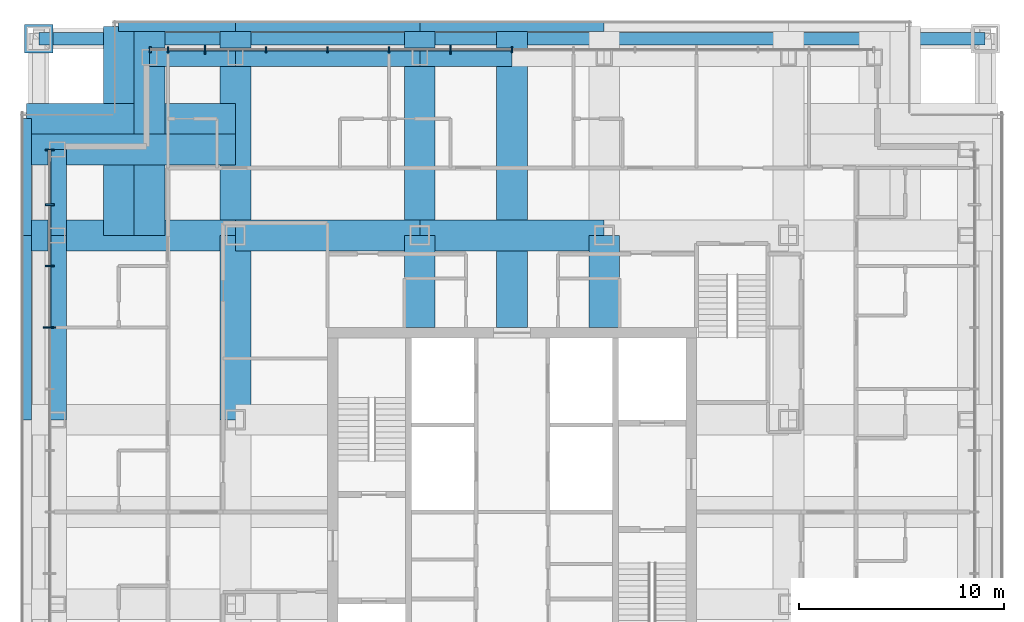
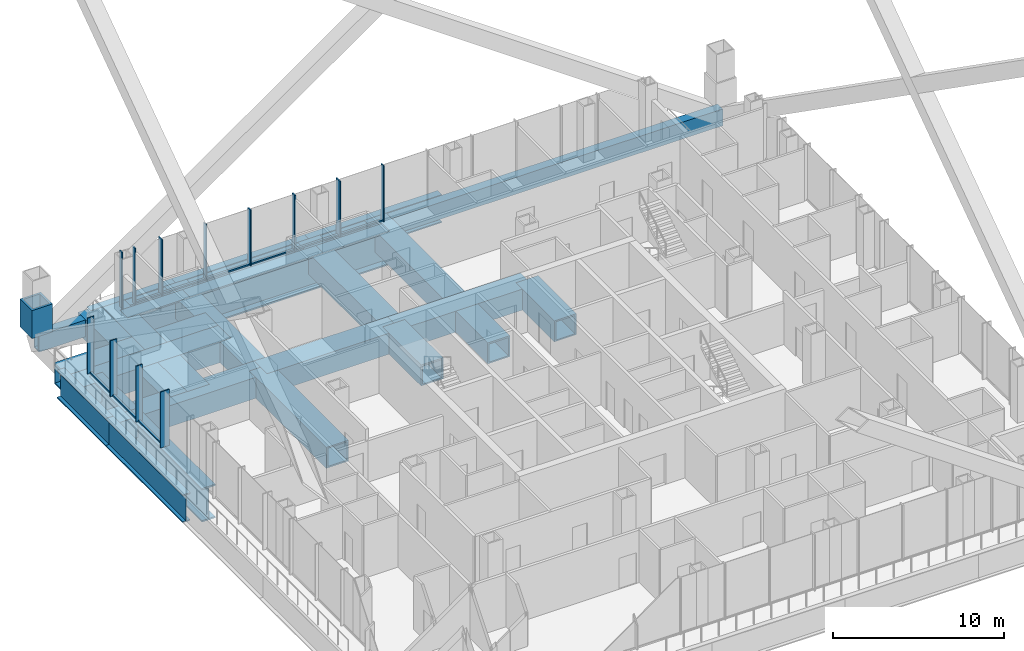
# One storey, part 7 of 18: 23 beams, 23 members, 2 elements without a shape of their own.
"""IFC4 building model written with IfcOpenShell, lengths in metres."""

from ifc_helpers import new_model, si_unit, direction, frame, origin, origin_2d, place, context, subcontext, project, spatial, rectangle, hollow_rectangle, i_section, extrude, material, layer, layer_set, material_profile, profile_set, type_object, element, aggregate, save


model = new_model("IFC4")

# Units and contexts
model_context = context("Model", 3, precision=1e-05, world=origin(), true_north=direction((0.0, 1.0)))
body_context = subcontext(model_context, "Body", "Model", "MODEL_VIEW")
ifc_project = project(units=[si_unit("LENGTHUNIT", "METRE"), si_unit("AREAUNIT", "SQUARE_METRE"), si_unit("VOLUMEUNIT", "CUBIC_METRE"), si_unit("PLANEANGLEUNIT", "RADIAN"), si_unit("MASSUNIT", "GRAM", prefix="KILO")], contexts=[model_context])

# Site, building, storey
site_placement = place(None, origin())
site = spatial("IfcSite", under=ifc_project, at=site_placement, CompositionType="ELEMENT")
building_placement = place(site_placement, origin())
building = spatial("IfcBuilding", under=site, at=building_placement, Name="Malebo Sky Hospital", CompositionType="ELEMENT")
storey_placement = place(building_placement, frame((0.0, 0.0, 177.0)))
storey = spatial("IfcBuildingStorey", under=building, at=storey_placement, Name="L42", CompositionType="ELEMENT", Elevation=177.0)

# Curtain wall, members
ifc_material_1 = material(Name="Anodised aluminium, natural silver", Category="aluminium")
ifc_layer_1 = layer(ifc_material_1, 0.25)
ifc_layer_set_1 = layer_set([ifc_layer_1], Name="WARD CURTAIN WALL NORTH AND SOUTH")
curtain_wall_type_1 = type_object("IfcCurtainWallType", Name="WARD CURTAIN WALL NORTH AND SOUTH", PredefinedType="NOTDEFINED", material=ifc_layer_set_1)
curtain_wall_1_placement = place(storey_placement, origin())
curtain_wall_1 = element("IfcCurtainWall", 1, at=curtain_wall_1_placement, inside=storey, type_object=curtain_wall_type_1, Name="NS curtain wall N", PredefinedType="NOTDEFINED")
ifc_material_profile_1 = material_profile(ifc_material_1, rectangle(XDim=0.14990234375, YDim=0.10009765625, at=origin_2d()), Name="ALUMINIUM TRANSOM 150x100")
ifc_profile_set_1 = profile_set([ifc_material_profile_1], Name="Anodised aluminium, natural silver")
member_type_1 = type_object("IfcMemberType", Name="ALUMINIUM TRANSOM 150x100", PredefinedType="USERDEFINED", material=ifc_profile_set_1)
member_1_placement = place(storey_placement, frame((43.237548828125, 84.574951171875, 0.050048828125), z_axis=(1.0, 0.0, 0.0), x_axis=(0.0, 1.0, 0.0)))
member_1 = element("IfcMember", 2, at=member_1_placement, type_object=member_type_1, Name="Transom 2", ObjectType="TRANSOM", PredefinedType="USERDEFINED", context=body_context, shape_type="SweptSolid", body=[
    extrude(rectangle(XDim=0.14990234375, YDim=0.10009765625, at=origin_2d()), origin(), (0.0, 0.0, 1.0), 1.724853515625),
])
member_2_placement = place(storey_placement, frame((45.03759765625, 84.574951171875, 0.050048828125), z_axis=(1.0, 0.0, 0.0), x_axis=(0.0, 1.0, 0.0)))
member_2 = element("IfcMember", 3, at=member_2_placement, type_object=member_type_1, Name="Transom 3", ObjectType="TRANSOM", PredefinedType="USERDEFINED", context=body_context, shape_type="SweptSolid", body=[
    extrude(rectangle(XDim=0.14990234375, YDim=0.10009765625, at=origin_2d()), origin(), (0.0, 0.0, 1.0), 2.9248046875),
])
member_3_placement = place(storey_placement, frame((48.03759765625, 84.574951171875, 0.050048828125), z_axis=(1.0, 0.0, 0.0), x_axis=(0.0, 1.0, 0.0)))
member_3 = element("IfcMember", 4, at=member_3_placement, type_object=member_type_1, Name="Transom 4", ObjectType="TRANSOM", PredefinedType="USERDEFINED", context=body_context, shape_type="SweptSolid", body=[
    extrude(rectangle(XDim=0.14990234375, YDim=0.10009765625, at=origin_2d()), origin(), (0.0, 0.0, 1.0), 2.9248046875),
])
member_4_placement = place(storey_placement, frame((51.03759765625, 84.574951171875, 0.050048828125), z_axis=(1.0, 0.0, 0.0), x_axis=(0.0, 1.0, 0.0)))
member_4 = element("IfcMember", 5, at=member_4_placement, type_object=member_type_1, Name="Transom 5", ObjectType="TRANSOM", PredefinedType="USERDEFINED", context=body_context, shape_type="SweptSolid", body=[
    extrude(rectangle(XDim=0.14990234375, YDim=0.10009765625, at=origin_2d()), origin(), (0.0, 0.0, 1.0), 2.9248046875),
])
member_5_placement = place(storey_placement, frame((54.03759765625, 84.574951171875, 0.050048828125), z_axis=(1.0, 0.0, 0.0), x_axis=(0.0, 1.0, 0.0)))
member_5 = element("IfcMember", 6, at=member_5_placement, type_object=member_type_1, Name="Transom 6", ObjectType="TRANSOM", PredefinedType="USERDEFINED", context=body_context, shape_type="SweptSolid", body=[
    extrude(rectangle(XDim=0.14990234375, YDim=0.10009765625, at=origin_2d()), origin(), (0.0, 0.0, 1.0), 2.9248046875),
])
member_6_placement = place(storey_placement, frame((57.03759765625, 84.574951171875, 0.050048828125), z_axis=(1.0, 0.0, 0.0), x_axis=(0.0, 1.0, 0.0)))
member_6 = element("IfcMember", 7, at=member_6_placement, type_object=member_type_1, Name="Transom 7", ObjectType="TRANSOM", PredefinedType="USERDEFINED", context=body_context, shape_type="SweptSolid", body=[
    extrude(rectangle(XDim=0.14990234375, YDim=0.10009765625, at=origin_2d()), origin(), (0.0, 0.0, 1.0), 2.9248046875),
])

ifc_layer_2 = layer(ifc_material_1, 0.25)
ifc_layer_set_2 = layer_set([ifc_layer_2], Name="WARD CURTAIN WALL EAST AND WEST")
curtain_wall_type_2 = type_object("IfcCurtainWallType", Name="WARD CURTAIN WALL EAST AND WEST", PredefinedType="NOTDEFINED", material=ifc_layer_set_2)
curtain_wall_2_placement = place(storey_placement, origin())
curtain_wall_2 = element("IfcCurtainWall", 8, at=curtain_wall_2_placement, inside=storey, type_object=curtain_wall_type_2, Name="EW curtain wall W", PredefinedType="NOTDEFINED")
member_7_placement = place(storey_placement, frame((37.425048828125, 71.03759765625, 0.050048828125), z_axis=(0.0, 1.0, 0.0), x_axis=(-1.0, 0.0, 0.0)))
member_7 = element("IfcMember", 9, at=member_7_placement, type_object=member_type_1, Name="Transom 11", ObjectType="TRANSOM", PredefinedType="USERDEFINED", context=body_context, shape_type="SweptSolid", body=[
    extrude(rectangle(XDim=0.14990234375, YDim=0.10009765625, at=origin_2d()), origin(), (0.0, 0.0, 1.0), 2.9248046875),
])
member_8_placement = place(storey_placement, frame((37.425048828125, 74.03759765625, 0.050048828125), z_axis=(0.0, 1.0, 0.0), x_axis=(-1.0, 0.0, 0.0)))
member_8 = element("IfcMember", 10, at=member_8_placement, type_object=member_type_1, Name="Transom 12", ObjectType="TRANSOM", PredefinedType="USERDEFINED", context=body_context, shape_type="SweptSolid", body=[
    extrude(rectangle(XDim=0.14990234375, YDim=0.10009765625, at=origin_2d()), origin(), (0.0, 0.0, 1.0), 2.9248046875),
])
member_9_placement = place(storey_placement, frame((37.425048828125, 77.03759765625, 0.050048828125), z_axis=(0.0, 1.0, 0.0), x_axis=(-1.0, 0.0, 0.0)))
member_9 = element("IfcMember", 11, at=member_9_placement, type_object=member_type_1, Name="Transom 13", ObjectType="TRANSOM", PredefinedType="USERDEFINED", context=body_context, shape_type="SweptSolid", body=[
    extrude(rectangle(XDim=0.14990234375, YDim=0.10009765625, at=origin_2d()), origin(), (0.0, 0.0, 1.0), 2.58740234375),
])

# Member
ifc_material_profile_2 = material_profile(ifc_material_1, rectangle(XDim=0.074951171875, YDim=0.300048828125, at=origin_2d()), Name="CW1 ALUMINIUM FIN MULLION 75x300")
ifc_profile_set_2 = profile_set([ifc_material_profile_2], Name="Anodised aluminium, natural silver")
member_type_2 = type_object("IfcMemberType", Name="CW1 ALUMINIUM FIN MULLION 75x300", PredefinedType="MULLION", material=ifc_profile_set_2)
member_10_placement = place(storey_placement, frame((42.33740234375, 84.574951171875, 0.0), z_axis=(0.0, 0.0, 1.0), x_axis=(1.0, 0.0, 0.0)))
member_10 = element("IfcMember", 12, at=member_10_placement, type_object=member_type_2, Name="Fin mullion 1", PredefinedType="MULLION", context=body_context, shape_type="SweptSolid", body=[
    extrude(rectangle(XDim=0.074951171875, YDim=0.300048828125, at=origin_2d()), origin(), (0.0, 0.0, 1.0), 4.0),
])

member_11_placement = place(storey_placement, frame((43.199951171875, 84.574951171875, 0.0), z_axis=(0.0, 0.0, 1.0), x_axis=(1.0, 0.0, 0.0)))
member_11 = element("IfcMember", 13, at=member_11_placement, type_object=member_type_2, Name="Fin mullion 2", PredefinedType="MULLION", context=body_context, shape_type="SweptSolid", body=[
    extrude(rectangle(XDim=0.074951171875, YDim=0.300048828125, at=origin_2d()), origin(), (0.0, 0.0, 1.0), 4.0),
])

member_12_placement = place(storey_placement, frame((48.0, 84.574951171875, 0.0), z_axis=(0.0, 0.0, 1.0), x_axis=(1.0, 0.0, 0.0)))
member_12 = element("IfcMember", 14, at=member_12_placement, type_object=member_type_2, Name="Fin mullion 4", PredefinedType="MULLION", context=body_context, shape_type="SweptSolid", body=[
    extrude(rectangle(XDim=0.074951171875, YDim=0.300048828125, at=origin_2d()), origin(), (0.0, 0.0, 1.0), 4.0),
])

member_13_placement = place(storey_placement, frame((51.0, 84.574951171875, 0.0), z_axis=(0.0, 0.0, 1.0), x_axis=(1.0, 0.0, 0.0)))
member_13 = element("IfcMember", 15, at=member_13_placement, type_object=member_type_2, Name="Fin mullion 5", PredefinedType="MULLION", context=body_context, shape_type="SweptSolid", body=[
    extrude(rectangle(XDim=0.074951171875, YDim=0.300048828125, at=origin_2d()), origin(), (0.0, 0.0, 1.0), 4.0),
])

member_14_placement = place(storey_placement, frame((54.0, 84.574951171875, 0.0), z_axis=(0.0, 0.0, 1.0), x_axis=(1.0, 0.0, 0.0)))
member_14 = element("IfcMember", 16, at=member_14_placement, type_object=member_type_2, Name="Fin mullion 6", PredefinedType="MULLION", context=body_context, shape_type="SweptSolid", body=[
    extrude(rectangle(XDim=0.074951171875, YDim=0.300048828125, at=origin_2d()), origin(), (0.0, 0.0, 1.0), 4.0),
])

member_15_placement = place(storey_placement, frame((60.0, 84.574951171875, 0.0), z_axis=(0.0, 0.0, 1.0), x_axis=(1.0, 0.0, 0.0)))
member_15 = element("IfcMember", 17, at=member_15_placement, type_object=member_type_2, Name="Fin mullion 8", PredefinedType="MULLION", context=body_context, shape_type="SweptSolid", body=[
    extrude(rectangle(XDim=0.074951171875, YDim=0.300048828125, at=origin_2d()), origin(), (0.0, 0.0, 1.0), 4.0),
])

ifc_material_profile_3 = material_profile(ifc_material_1, rectangle(XDim=0.074951171875, YDim=0.449951171875, at=origin_2d()), Name="CW1 ALUMINIUM FIN MULLION 75x450")
ifc_profile_set_3 = profile_set([ifc_material_profile_3], Name="Anodised aluminium, natural silver")
member_type_3 = type_object("IfcMemberType", Name="CW1 ALUMINIUM FIN MULLION 75x450", PredefinedType="MULLION", material=ifc_profile_set_3)
member_16_placement = place(storey_placement, frame((45.0, 84.574951171875, 0.0), z_axis=(0.0, 0.0, 1.0), x_axis=(1.0, 0.0, 0.0)))
member_16 = element("IfcMember", 18, at=member_16_placement, type_object=member_type_3, Name="Fin mullion 3", PredefinedType="MULLION", context=body_context, shape_type="SweptSolid", body=[
    extrude(rectangle(XDim=0.074951171875, YDim=0.449951171875, at=origin_2d()), origin(), (0.0, 0.0, 1.0), 4.0),
])

member_17_placement = place(storey_placement, frame((57.0, 84.574951171875, 0.0), z_axis=(0.0, 0.0, 1.0), x_axis=(1.0, 0.0, 0.0)))
member_17 = element("IfcMember", 19, at=member_17_placement, type_object=member_type_3, Name="Fin mullion 7", PredefinedType="MULLION", context=body_context, shape_type="SweptSolid", body=[
    extrude(rectangle(XDim=0.074951171875, YDim=0.449951171875, at=origin_2d()), origin(), (0.0, 0.0, 1.0), 4.0),
])

aggregate(curtain_wall_1, [member_10, member_11, member_16, member_12, member_13, member_14, member_17, member_15, member_1, member_2, member_3, member_4, member_5, member_6])

ifc_material_profile_4 = material_profile(ifc_material_1, rectangle(XDim=0.074951171875, YDim=0.449951171875, at=origin_2d()), Name="CW2 ALUMINIUM FIN MULLION 75x450")
ifc_profile_set_4 = profile_set([ifc_material_profile_4], Name="Anodised aluminium, natural silver")
member_type_4 = type_object("IfcMemberType", Name="CW2 ALUMINIUM FIN MULLION 75x450", PredefinedType="MULLION", material=ifc_profile_set_4)
member_18_placement = place(storey_placement, frame((37.425048828125, 74.0, 0.0), z_axis=(0.0, 0.0, 1.0), x_axis=(0.0, 1.0, 0.0)))
member_18 = element("IfcMember", 20, at=member_18_placement, type_object=member_type_4, Name="Fin mullion 12", PredefinedType="MULLION", context=body_context, shape_type="SweptSolid", body=[
    extrude(rectangle(XDim=0.074951171875, YDim=0.449951171875, at=origin_2d()), origin(), (0.0, 0.0, 1.0), 4.0),
])

member_19_placement = place(storey_placement, frame((37.425048828125, 77.0, 0.0), z_axis=(0.0, 0.0, 1.0), x_axis=(0.0, 1.0, 0.0)))
member_19 = element("IfcMember", 21, at=member_19_placement, type_object=member_type_4, Name="Fin mullion 13", PredefinedType="MULLION", context=body_context, shape_type="SweptSolid", body=[
    extrude(rectangle(XDim=0.074951171875, YDim=0.449951171875, at=origin_2d()), origin(), (0.0, 0.0, 1.0), 4.0),
])

member_20_placement = place(storey_placement, frame((37.425048828125, 79.66259765625, 0.0), z_axis=(0.0, 0.0, 1.0), x_axis=(0.0, 1.0, 0.0)))
member_20 = element("IfcMember", 22, at=member_20_placement, type_object=member_type_4, Name="Fin mullion 14", PredefinedType="MULLION", context=body_context, shape_type="SweptSolid", body=[
    extrude(rectangle(XDim=0.074951171875, YDim=0.449951171875, at=origin_2d()), origin(), (0.0, 0.0, 1.0), 4.0),
])

ifc_material_profile_5 = material_profile(ifc_material_1, rectangle(XDim=0.074951171875, YDim=0.60009765625, at=origin_2d()), Name="CW2 ALUMINIUM FIN MULLION 75x600")
ifc_profile_set_5 = profile_set([ifc_material_profile_5], Name="Anodised aluminium, natural silver")
member_type_5 = type_object("IfcMemberType", Name="CW2 ALUMINIUM FIN MULLION 75x600", PredefinedType="MULLION", material=ifc_profile_set_5)
member_21_placement = place(storey_placement, frame((37.425048828125, 71.0, 0.0), z_axis=(0.0, 0.0, 1.0), x_axis=(0.0, 1.0, 0.0)))
member_21 = element("IfcMember", 23, at=member_21_placement, type_object=member_type_5, Name="Fin mullion 11", PredefinedType="MULLION", context=body_context, shape_type="SweptSolid", body=[
    extrude(rectangle(XDim=0.074951171875, YDim=0.60009765625, at=origin_2d()), origin(), (0.0, 0.0, 1.0), 4.0),
])

aggregate(curtain_wall_2, [member_21, member_18, member_19, member_20, member_7, member_8, member_9])

# Members
ifc_material_2 = material(Name="Steel S460", Category="steel")
ifc_material_profile_6 = material_profile(ifc_material_2, hollow_rectangle(XDim=1.39990234375, YDim=1.39990234375, WallThickness=0.14990234375, at=origin_2d()), Name="BOX 1400x1400x150")
ifc_profile_set_6 = profile_set([ifc_material_profile_6], Name="Steel S460")
member_type_6 = type_object("IfcMemberType", Name="MEGA COLUMN NODE BOX 1400x1400x150", PredefinedType="MEMBER", material=ifc_profile_set_6)
member_22_placement = place(storey_placement, frame((36.89990234375, 85.10009765625, 0.0), z_axis=(0.0, 0.0, 1.0), x_axis=(1.0, 0.0, 0.0)))
element("IfcMember", 24, at=member_22_placement, inside=storey, type_object=member_type_6, Name="Mega column node NW L42", PredefinedType="MEMBER", context=body_context, shape_type="SweptSolid", body=[
    extrude(hollow_rectangle(XDim=1.39990234375, YDim=1.39990234375, WallThickness=0.14990234375, at=origin_2d()), origin(), (0.0, 0.0, 1.0), 2.0),
])
ifc_material_profile_7 = material_profile(ifc_material_2, hollow_rectangle(XDim=0.60009765625, YDim=1.199951171875, WallThickness=0.080078125, at=origin_2d()), Name="BOX 1200x600x80")
ifc_profile_set_7 = profile_set([ifc_material_profile_7], Name="Steel S460")
member_type_7 = type_object("IfcMemberType", Name="MEGA TIE BOX 1200x600x80", PredefinedType="CHORD", material=ifc_profile_set_7)
member_23_placement = place(storey_placement, frame((83.10009765625, 85.10009765625, -0.85009765625), z_axis=(-1.0, 0.0, 0.0), x_axis=(0.0, -1.0, 0.0)))
element("IfcMember", 25, at=member_23_placement, inside=storey, type_object=member_type_7, Name="Mega tie CN L42", PredefinedType="CHORD", context=body_context, shape_type="SweptSolid", body=[
    extrude(hollow_rectangle(XDim=0.60009765625, YDim=1.199951171875, WallThickness=0.080078125, at=origin_2d()), origin(), (0.0, 0.0, 1.0), 46.2001953125),
])

# Beams
ifc_material_profile_8 = material_profile(ifc_material_2, hollow_rectangle(XDim=1.5, YDim=1.5, WallThickness=0.10009765625, at=origin_2d()), Name="BOX 1500x1500x100")
ifc_profile_set_8 = profile_set([ifc_material_profile_8], Name="Steel S460")
beam_type_1 = type_object("IfcBeamType", Name="TRANSFER GIRDER BOX 1500x1500x100", PredefinedType="BEAM", material=ifc_profile_set_8)
beam_1_placement = place(storey_placement, frame((46.5, 66.5, -1.0), z_axis=(0.0, 1.0, 0.0), x_axis=(-1.0, 0.0, 0.0)))
element("IfcBeam", 26, at=beam_1_placement, inside=storey, type_object=beam_type_1, Name="Beam 013 L42", PredefinedType="BEAM", context=body_context, shape_type="SweptSolid", body=[
    extrude(hollow_rectangle(XDim=1.5, YDim=1.5, WallThickness=0.10009765625, at=origin_2d()), origin(), (0.0, 0.0, 1.0), 9.0),
])
beam_2_placement = place(storey_placement, frame((46.5, 75.5, -1.0), z_axis=(0.0, 1.0, 0.0), x_axis=(-1.0, 0.0, 0.0)))
element("IfcBeam", 27, at=beam_2_placement, inside=storey, type_object=beam_type_1, Name="Beam 014 L42", PredefinedType="BEAM", context=body_context, shape_type="SweptSolid", body=[
    extrude(hollow_rectangle(XDim=1.5, YDim=1.5, WallThickness=0.10009765625, at=origin_2d()), origin(), (0.0, 0.0, 1.0), 10.199951171875),
])
beam_3_placement = place(storey_placement, frame((55.5, 71.0, -1.0), z_axis=(0.0, 1.0, 0.0), x_axis=(-1.0, 0.0, 0.0)))
element("IfcBeam", 28, at=beam_3_placement, inside=storey, type_object=beam_type_1, Name="Beam 017 L42", PredefinedType="BEAM", context=body_context, shape_type="SweptSolid", body=[
    extrude(hollow_rectangle(XDim=1.5, YDim=1.5, WallThickness=0.10009765625, at=origin_2d()), origin(), (0.0, 0.0, 1.0), 4.5),
])
beam_4_placement = place(storey_placement, frame((55.5, 75.5, -1.0), z_axis=(0.0, 1.0, 0.0), x_axis=(-1.0, 0.0, 0.0)))
element("IfcBeam", 29, at=beam_4_placement, inside=storey, type_object=beam_type_1, Name="Beam 018 L42", PredefinedType="BEAM", context=body_context, shape_type="SweptSolid", body=[
    extrude(hollow_rectangle(XDim=1.5, YDim=1.5, WallThickness=0.10009765625, at=origin_2d()), origin(), (0.0, 0.0, 1.0), 10.199951171875),
])
beam_5_placement = place(storey_placement, frame((64.5, 71.0, -1.0), z_axis=(0.0, 1.0, 0.0), x_axis=(-1.0, 0.0, 0.0)))
element("IfcBeam", 30, at=beam_5_placement, inside=storey, type_object=beam_type_1, Name="Beam 023 L42", PredefinedType="BEAM", context=body_context, shape_type="SweptSolid", body=[
    extrude(hollow_rectangle(XDim=1.5, YDim=1.5, WallThickness=0.10009765625, at=origin_2d()), origin(), (0.0, 0.0, 1.0), 4.5),
])
beam_6_placement = place(storey_placement, frame((36.300048828125, 75.5, -1.0), z_axis=(1.0, 0.0, 0.0), x_axis=(0.0, 1.0, 0.0)))
element("IfcBeam", 31, at=beam_6_placement, inside=storey, type_object=beam_type_1, Name="Beam 065 L42", PredefinedType="BEAM", context=body_context, shape_type="SweptSolid", body=[
    extrude(hollow_rectangle(XDim=1.5, YDim=1.5, WallThickness=0.10009765625, at=origin_2d()), origin(), (0.0, 0.0, 1.0), 10.199951171875),
])
for number, where, z_axis, x_axis, name in (
    (32, (46.5, 75.5, -1.0), (1.0, 0.0, 0.0), (0.0, 1.0, 0.0), "Beam 066 L42"),
    (33, (55.5, 75.5, -1.0), (1.0, 0.0, 0.0), (0.0, 1.0, 0.0), "Beam 067 L42"),
):
    element("IfcBeam", number, at=place(storey_placement, frame(where, z_axis=z_axis, x_axis=x_axis)), inside=storey, type_object=beam_type_1, Name=name, PredefinedType="BEAM", context=body_context, shape_type="SweptSolid", body=[
        extrude(hollow_rectangle(XDim=1.5, YDim=1.5, WallThickness=0.10009765625, at=origin_2d()), origin(), (0.0, 0.0, 1.0), 9.0),
    ])
for number, where, z_axis, x_axis, name in (
    (34, (40.800048828125, 75.5, -1.0), (0.0, 1.0, 0.0), (-1.0, 0.0, 0.0), "Beam 007 L42"),
    (35, (42.300048828125, 75.5, -1.0), (0.0, 1.0, 0.0), (-1.0, 0.0, 0.0), "Beam 009 L42"),
):
    element("IfcBeam", number, at=place(storey_placement, frame(where, z_axis=z_axis, x_axis=x_axis)), inside=storey, type_object=beam_type_1, Name=name, PredefinedType="BEAM", context=body_context, shape_type="SweptSolid", body=[
        extrude(hollow_rectangle(XDim=1.5, YDim=1.5, WallThickness=0.10009765625, at=origin_2d()), origin(), (0.0, 0.0, 1.0), 10.199951171875),
    ])
beam_7_placement = place(storey_placement, frame((60.0, 71.0, -1.0), z_axis=(0.0, 1.0, 0.0), x_axis=(-1.0, 0.0, 0.0)))
element("IfcBeam", 36, at=beam_7_placement, inside=storey, type_object=beam_type_1, Name="Beam 020 L42", PredefinedType="BEAM", context=body_context, shape_type="SweptSolid", body=[
    extrude(hollow_rectangle(XDim=1.5, YDim=1.5, WallThickness=0.10009765625, at=origin_2d()), origin(), (0.0, 0.0, 1.0), 14.699951171875),
])
for number, where, z_axis, x_axis, name in (
    (37, (36.300048828125, 79.699951171875, -1.0), (1.0, 0.0, 0.0), (0.0, 1.0, 0.0), "Beam 070 L42"),
    (38, (36.300048828125, 81.199951171875, -1.0), (1.0, 0.0, 0.0), (0.0, 1.0, 0.0), "Beam 072 L42"),
):
    element("IfcBeam", number, at=place(storey_placement, frame(where, z_axis=z_axis, x_axis=x_axis)), inside=storey, type_object=beam_type_1, Name=name, PredefinedType="BEAM", context=body_context, shape_type="SweptSolid", body=[
        extrude(hollow_rectangle(XDim=1.5, YDim=1.5, WallThickness=0.10009765625, at=origin_2d()), origin(), (0.0, 0.0, 1.0), 10.199951171875),
    ])
ifc_material_3 = material(Name="Steel S355", Category="steel")
ifc_material_profile_9 = material_profile(ifc_material_3, i_section(OverallWidth=0.5, OverallDepth=2.0, WebThickness=0.0400390625, FlangeThickness=0.080078125, at=origin_2d()), Name="PG 2000x500x40x80")
ifc_profile_set_9 = profile_set([ifc_material_profile_9], Name="Steel S355")
beam_type_2 = type_object("IfcBeamType", Name="TRANSFER GIRDER PG 2000x500x40x80", PredefinedType="BEAM", material=ifc_profile_set_9)
beam_8_placement = place(storey_placement, frame((36.300048828125, 66.5, -1.25), z_axis=(0.0, 1.0, 0.0), x_axis=(-1.0, 0.0, 0.0)))
element("IfcBeam", 39, at=beam_8_placement, inside=storey, type_object=beam_type_2, Name="Beam 003 L42", PredefinedType="BEAM", context=body_context, shape_type="SweptSolid", body=[
    extrude(i_section(OverallWidth=0.5, OverallDepth=2.0, WebThickness=0.0400390625, FlangeThickness=0.080078125, at=origin_2d()), origin(), (0.0, 0.0, 1.0), 9.0),
])
for number, where, z_axis, x_axis, name in (
    (40, (36.300048828125, 75.5, -1.25), (0.0, 1.0, 0.0), (-1.0, 0.0, 0.0), "Beam 004 L42"),
    (41, (40.800048828125, 85.699951171875, -1.25), (1.0, 0.0, 0.0), (0.0, 1.0, 0.0), "Beam 075 L42"),
):
    element("IfcBeam", number, at=place(storey_placement, frame(where, z_axis=z_axis, x_axis=x_axis)), inside=storey, type_object=beam_type_2, Name=name, PredefinedType="BEAM", context=body_context, shape_type="SweptSolid", body=[
        extrude(i_section(OverallWidth=0.5, OverallDepth=2.0, WebThickness=0.0400390625, FlangeThickness=0.080078125, at=origin_2d()), origin(), (0.0, 0.0, 1.0), 5.699951171875),
    ])
for number, where, z_axis, x_axis, name in (
    (42, (46.5, 85.699951171875, -1.25), (1.0, 0.0, 0.0), (0.0, 1.0, 0.0), "Beam 076 L42"),
    (43, (55.5, 85.699951171875, -1.25), (1.0, 0.0, 0.0), (0.0, 1.0, 0.0), "Beam 077 L42"),
):
    element("IfcBeam", number, at=place(storey_placement, frame(where, z_axis=z_axis, x_axis=x_axis)), inside=storey, type_object=beam_type_2, Name=name, PredefinedType="BEAM", context=body_context, shape_type="SweptSolid", body=[
        extrude(i_section(OverallWidth=0.5, OverallDepth=2.0, WebThickness=0.0400390625, FlangeThickness=0.080078125, at=origin_2d()), origin(), (0.0, 0.0, 1.0), 9.0),
    ])
ifc_material_profile_10 = material_profile(ifc_material_3, i_section(OverallWidth=0.89990234375, OverallDepth=2.39990234375, WebThickness=0.050048828125, FlangeThickness=0.10009765625, at=origin_2d()), Name="PG 2400x900x50x100")
ifc_profile_set_10 = profile_set([ifc_material_profile_10], Name="Steel S355")
beam_type_3 = type_object("IfcBeamType", Name="TRANSFER GIRDER PG 2400x900x50x100", PredefinedType="BEAM", material=ifc_profile_set_10)
beam_9_placement = place(storey_placement, frame((37.800048828125, 66.5, -1.449951171875), z_axis=(0.0, 1.0, 0.0), x_axis=(-1.0, 0.0, 0.0)))
element("IfcBeam", 44, at=beam_9_placement, inside=storey, type_object=beam_type_3, Name="Beam 005e L42", PredefinedType="BEAM", context=body_context, shape_type="SweptSolid", body=[
    extrude(i_section(OverallWidth=0.89990234375, OverallDepth=2.39990234375, WebThickness=0.050048828125, FlangeThickness=0.10009765625, at=origin_2d()), origin(), (0.0, 0.0, 1.0), 9.0),
])
for number, where, z_axis, x_axis, name in (
    (45, (37.800048828125, 75.5, -1.449951171875), (0.0, 1.0, 0.0), (-1.0, 0.0, 0.0), "Beam 005f L42"),
    (46, (42.300048828125, 84.199951171875, -1.449951171875), (1.0, 0.0, 0.0), (0.0, 1.0, 0.0), "Beam 074 L42"),
):
    element("IfcBeam", number, at=place(storey_placement, frame(where, z_axis=z_axis, x_axis=x_axis)), inside=storey, type_object=beam_type_3, Name=name, PredefinedType="BEAM", context=body_context, shape_type="SweptSolid", body=[
        extrude(i_section(OverallWidth=0.89990234375, OverallDepth=2.39990234375, WebThickness=0.050048828125, FlangeThickness=0.10009765625, at=origin_2d()), origin(), (0.0, 0.0, 1.0), 4.199951171875),
    ])
beam_10_placement = place(storey_placement, frame((46.5, 84.199951171875, -1.449951171875), z_axis=(1.0, 0.0, 0.0), x_axis=(0.0, 1.0, 0.0)))
element("IfcBeam", 47, at=beam_10_placement, inside=storey, type_object=beam_type_3, Name="Beam 074b L42", PredefinedType="BEAM", context=body_context, shape_type="SweptSolid", body=[
    extrude(i_section(OverallWidth=0.89990234375, OverallDepth=2.39990234375, WebThickness=0.050048828125, FlangeThickness=0.10009765625, at=origin_2d()), origin(), (0.0, 0.0, 1.0), 9.0),
])
beam_11_placement = place(storey_placement, frame((55.5, 84.199951171875, -1.449951171875), z_axis=(1.0, 0.0, 0.0), x_axis=(0.0, 1.0, 0.0)))
element("IfcBeam", 48, at=beam_11_placement, inside=storey, type_object=beam_type_3, Name="Beam 074c L42", PredefinedType="BEAM", context=body_context, shape_type="SweptSolid", body=[
    extrude(i_section(OverallWidth=0.89990234375, OverallDepth=2.39990234375, WebThickness=0.050048828125, FlangeThickness=0.10009765625, at=origin_2d()), origin(), (0.0, 0.0, 1.0), 4.5),
])

save(model, "model.ifc")
